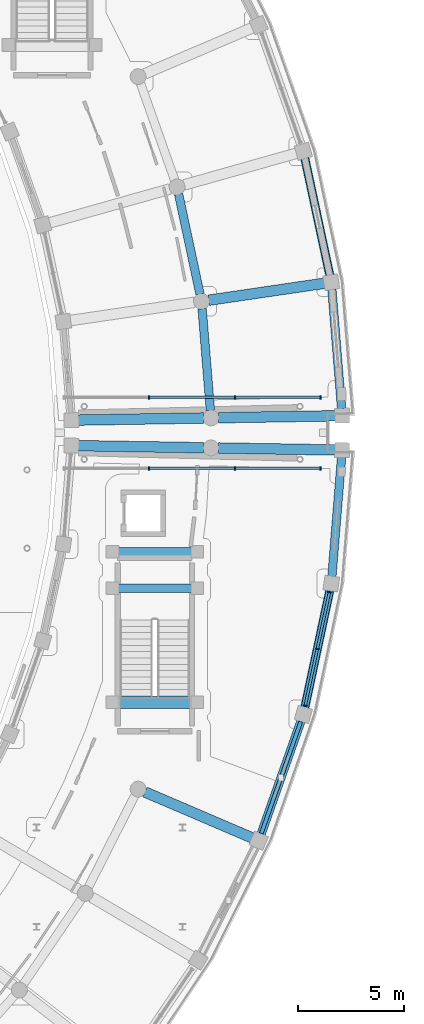
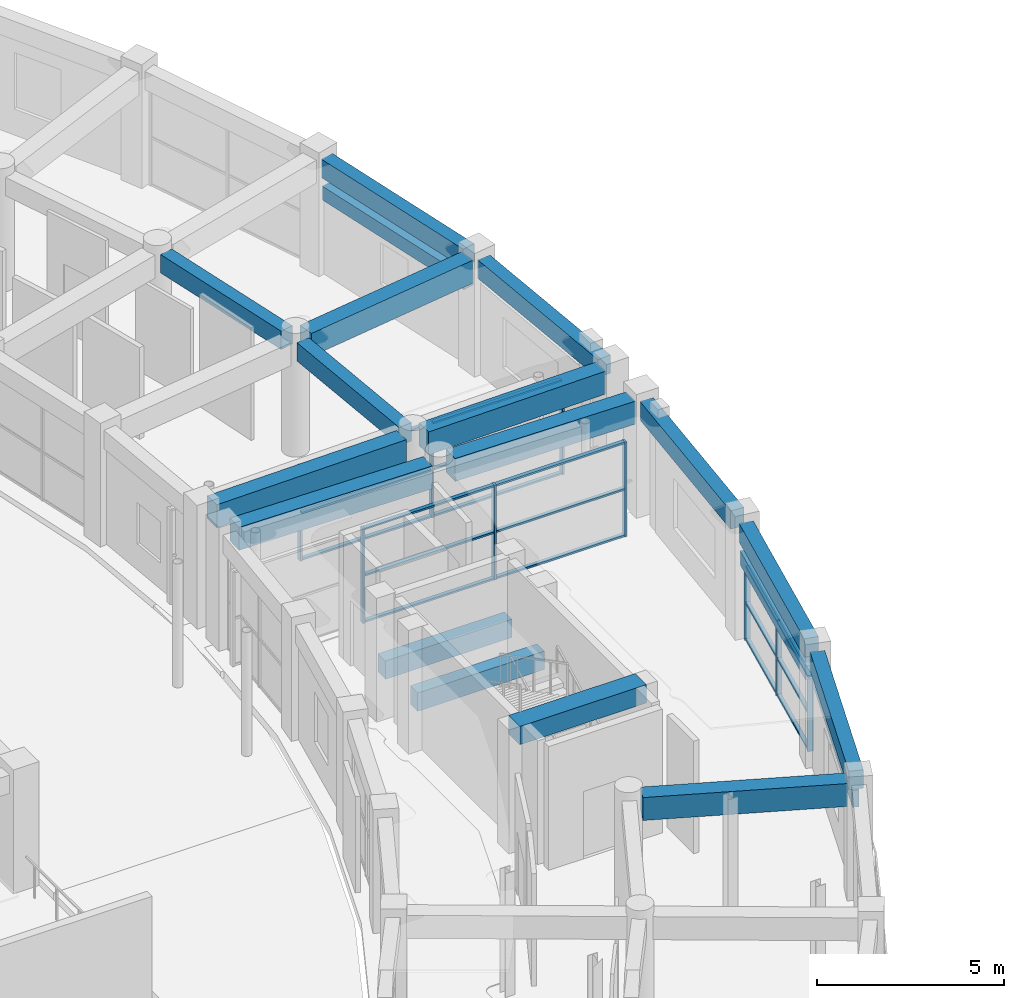
# One storey, part 37 of 87: 28 members, 18 beams, 3 elements without a shape of their own.
"""IFC4 building model written with IfcOpenShell, lengths in metres."""

from ifc_helpers import new_model, si_unit, direction, frame, origin, origin_2d, place, context, subcontext, project, spatial, rectangle, extrude, material, material_profile, profile_set, type_object, element, aggregate, save


model = new_model("IFC4")

# Units and contexts
model_context = context("Model", 3, precision=1e-05, world=origin(), true_north=direction((0.0, 1.0)))
body_context = subcontext(model_context, "Body", "Model", "MODEL_VIEW")
ifc_project = project(units=[si_unit("LENGTHUNIT", "METRE"), si_unit("AREAUNIT", "SQUARE_METRE"), si_unit("VOLUMEUNIT", "CUBIC_METRE"), si_unit("PLANEANGLEUNIT", "RADIAN"), si_unit("MASSUNIT", "GRAM", prefix="KILO")], contexts=[model_context])

# Site, building, storey
site_placement = place(None, origin())
site = spatial("IfcSite", under=ifc_project, at=site_placement, CompositionType="ELEMENT")
building_placement = place(site_placement, origin())
building = spatial("IfcBuilding", under=site, at=building_placement, Name="Saryqyr Civic Hall", CompositionType="ELEMENT")
storey_placement = place(building_placement, frame((0.0, 0.0, 5.10009765625)))
storey = spatial("IfcBuildingStorey", under=building, at=storey_placement, Name="L01", CompositionType="ELEMENT", Elevation=5.10009765625)

# Curtain wall, members
ifc_material_1 = material(Name="Anodised aluminium and triple low-E glass", Category="aluminium")
curtain_wall_type_1 = type_object("IfcCurtainWallType", Name="ENV-CW-STD-38", PredefinedType="NOTDEFINED", material=ifc_material_1)
curtain_wall_1_placement = place(storey_placement, origin())
curtain_wall_1 = element("IfcCurtainWall", 1, at=curtain_wall_1_placement, inside=storey, type_object=curtain_wall_type_1, Name="Curtain wall V5-CWO-L01-08", PredefinedType="NOTDEFINED")
ifc_material_2 = material(Name="Anodised aluminium", Category="aluminium")
ifc_material_profile_1 = material_profile(ifc_material_2, rectangle(XDim=0.06005859375, YDim=0.159912109375, at=origin_2d()), Name="ALU MULLION 60x160")
ifc_profile_set_1 = profile_set([ifc_material_profile_1], Name="Anodised aluminium")
member_type_1 = type_object("IfcMemberType", Name="ENV-CW-MUL-180", PredefinedType="MULLION", material=ifc_profile_set_1)
member_1_placement = place(storey_placement, frame((105.390380859375, 76.460693359375, 0.0), z_axis=(0.0, 0.0, 1.0), x_axis=(-0.208901785507, -0.977936625765, 0.0)))
member_1 = element("IfcMember", 2, at=member_1_placement, type_object=member_type_1, Name="CW-38 mullion 1", PredefinedType="MULLION", context=body_context, shape_type="SweptSolid", body=[
    extrude(rectangle(XDim=0.06005859375, YDim=0.159912109375, at=origin_2d()), origin(), (0.0, 0.0, 1.0), 2.449951171875),
])
member_2_placement = place(storey_placement, frame((104.819091796875, 73.78564453125, 0.0), z_axis=(0.0, 0.0, 1.0), x_axis=(-0.208901785507, -0.977936625765, 0.0)))
member_2 = element("IfcMember", 3, at=member_2_placement, type_object=member_type_1, Name="CW-38 mullion 2", PredefinedType="MULLION", context=body_context, shape_type="SweptSolid", body=[
    extrude(rectangle(XDim=0.06005859375, YDim=0.159912109375, at=origin_2d()), origin(), (0.0, 0.0, 1.0), 2.449951171875),
])
member_3_placement = place(storey_placement, frame((104.24755859375, 71.110595703125, 0.0), z_axis=(0.0, 0.0, 1.0), x_axis=(-0.208901785507, -0.977936625765, 0.0)))
member_3 = element("IfcMember", 4, at=member_3_placement, type_object=member_type_1, Name="CW-38 mullion 3", PredefinedType="MULLION", context=body_context, shape_type="SweptSolid", body=[
    extrude(rectangle(XDim=0.06005859375, YDim=0.159912109375, at=origin_2d()), origin(), (0.0, 0.0, 1.0), 2.449951171875),
])

curtain_wall_type_2 = type_object("IfcCurtainWallType", Name="ENV-CW-STD-81", PredefinedType="NOTDEFINED", material=ifc_material_1)
curtain_wall_2_placement = place(storey_placement, origin())
curtain_wall_2 = element("IfcCurtainWall", 5, at=curtain_wall_2_placement, inside=storey, type_object=curtain_wall_type_2, Name="Curtain wall BR-E-CW1-L01", PredefinedType="NOTDEFINED")
member_4_placement = place(storey_placement, frame((104.969970703125, 82.320068359375, 0.0), z_axis=(0.0, 0.0, 1.0), x_axis=(-1.0, 0.0, 0.0)))
member_4 = element("IfcMember", 6, at=member_4_placement, type_object=member_type_1, Name="CW-81 mullion 1", PredefinedType="MULLION", context=body_context, shape_type="SweptSolid", body=[
    extrude(rectangle(XDim=0.06005859375, YDim=0.159912109375, at=origin_2d()), origin(), (0.0, 0.0, 1.0), 3.099853515625),
])
member_5_placement = place(storey_placement, frame((100.933349609375, 82.320068359375, 0.0), z_axis=(0.0, 0.0, 1.0), x_axis=(-1.0, 0.0, 0.0)))
member_5 = element("IfcMember", 7, at=member_5_placement, type_object=member_type_1, Name="CW-81 mullion 2", PredefinedType="MULLION", context=body_context, shape_type="SweptSolid", body=[
    extrude(rectangle(XDim=0.06005859375, YDim=0.159912109375, at=origin_2d()), origin(), (0.0, 0.0, 1.0), 3.099853515625),
])
member_6_placement = place(storey_placement, frame((96.86669921875, 82.320068359375, 0.0), z_axis=(0.0, 0.0, 1.0), x_axis=(-1.0, 0.0, 0.0)))
member_6 = element("IfcMember", 8, at=member_6_placement, type_object=member_type_1, Name="CW-81 mullion 3", PredefinedType="MULLION", context=body_context, shape_type="SweptSolid", body=[
    extrude(rectangle(XDim=0.06005859375, YDim=0.159912109375, at=origin_2d()), origin(), (0.0, 0.0, 1.0), 3.099853515625),
])

curtain_wall_3_placement = place(storey_placement, origin())
curtain_wall_3 = element("IfcCurtainWall", 9, at=curtain_wall_3_placement, inside=storey, type_object=curtain_wall_type_2, Name="Curtain wall BR-E-CW2-L01", PredefinedType="NOTDEFINED")
member_7_placement = place(storey_placement, frame((96.86669921875, 85.679931640625, 0.0), z_axis=(0.0, 0.0, 1.0), x_axis=(1.0, 0.0, 0.0)))
member_7 = element("IfcMember", 10, at=member_7_placement, type_object=member_type_1, Name="CW-81 mullion 2", PredefinedType="MULLION", context=body_context, shape_type="SweptSolid", body=[
    extrude(rectangle(XDim=0.06005859375, YDim=0.159912109375, at=origin_2d()), origin(), (0.0, 0.0, 1.0), 3.099853515625),
])
member_8_placement = place(storey_placement, frame((100.933349609375, 85.679931640625, 0.0), z_axis=(0.0, 0.0, 1.0), x_axis=(1.0, 0.0, 0.0)))
member_8 = element("IfcMember", 11, at=member_8_placement, type_object=member_type_1, Name="CW-81 mullion 3", PredefinedType="MULLION", context=body_context, shape_type="SweptSolid", body=[
    extrude(rectangle(XDim=0.06005859375, YDim=0.159912109375, at=origin_2d()), origin(), (0.0, 0.0, 1.0), 3.099853515625),
])
member_9_placement = place(storey_placement, frame((104.969970703125, 85.679931640625, 0.0), z_axis=(0.0, 0.0, 1.0), x_axis=(1.0, 0.0, 0.0)))
member_9 = element("IfcMember", 12, at=member_9_placement, type_object=member_type_1, Name="CW-81 mullion 4", PredefinedType="MULLION", context=body_context, shape_type="SweptSolid", body=[
    extrude(rectangle(XDim=0.06005859375, YDim=0.159912109375, at=origin_2d()), origin(), (0.0, 0.0, 1.0), 3.099853515625),
])

# Member
ifc_material_profile_2 = material_profile(ifc_material_2, rectangle(XDim=0.1201171875, YDim=0.06005859375, at=origin_2d()), Name="ALU TRANSOM 120x60")
ifc_profile_set_2 = profile_set([ifc_material_profile_2], Name="Anodised aluminium")
member_type_2 = type_object("IfcMemberType", Name="ENV-CW-TRN-150", PredefinedType="USERDEFINED", material=ifc_profile_set_2)
member_10_placement = place(storey_placement, frame((105.38427734375, 76.431396484375, 0.02978515625), z_axis=(-0.208961969567, -0.977923767619, 0.0), x_axis=(0.977923767619, -0.208961969567, 0.0)))
member_10 = element("IfcMember", 13, at=member_10_placement, type_object=member_type_2, Name="CW-38 transom 1.1", ObjectType="TRANSOM", PredefinedType="USERDEFINED", context=body_context, shape_type="SweptSolid", body=[
    extrude(rectangle(XDim=0.1201171875, YDim=0.06005859375, at=origin_2d()), origin(), (0.0, 0.0, 1.0), 2.675537109375),
])

member_11_placement = place(storey_placement, frame((105.38427734375, 76.431396484375, 1.224853515625), z_axis=(-0.208961969567, -0.977923767619, 0.0), x_axis=(0.977923767619, -0.208961969567, 0.0)))
member_11 = element("IfcMember", 14, at=member_11_placement, type_object=member_type_2, Name="CW-38 transom 1.2", ObjectType="TRANSOM", PredefinedType="USERDEFINED", context=body_context, shape_type="SweptSolid", body=[
    extrude(rectangle(XDim=0.1201171875, YDim=0.06005859375, at=origin_2d()), origin(), (0.0, 0.0, 1.0), 2.675537109375),
])

member_12_placement = place(storey_placement, frame((105.38427734375, 76.431396484375, 2.419921875), z_axis=(-0.208961969567, -0.977923767619, 0.0), x_axis=(0.977923767619, -0.208961969567, 0.0)))
member_12 = element("IfcMember", 15, at=member_12_placement, type_object=member_type_2, Name="CW-38 transom 1.3", ObjectType="TRANSOM", PredefinedType="USERDEFINED", context=body_context, shape_type="SweptSolid", body=[
    extrude(rectangle(XDim=0.1201171875, YDim=0.06005859375, at=origin_2d()), origin(), (0.0, 0.0, 1.0), 2.675537109375),
])

member_13_placement = place(storey_placement, frame((104.812744140625, 73.75634765625, 0.02978515625), z_axis=(-0.208874701734, -0.977942410869, 0.0), x_axis=(0.977942410869, -0.208874701734, 0.0)))
member_13 = element("IfcMember", 16, at=member_13_placement, type_object=member_type_2, Name="CW-38 transom 2.1", ObjectType="TRANSOM", PredefinedType="USERDEFINED", context=body_context, shape_type="SweptSolid", body=[
    extrude(rectangle(XDim=0.1201171875, YDim=0.06005859375, at=origin_2d()), origin(), (0.0, 0.0, 1.0), 2.675537109375),
])

member_14_placement = place(storey_placement, frame((104.812744140625, 73.75634765625, 1.224853515625), z_axis=(-0.208874701734, -0.977942410869, 0.0), x_axis=(0.977942410869, -0.208874701734, 0.0)))
member_14 = element("IfcMember", 17, at=member_14_placement, type_object=member_type_2, Name="CW-38 transom 2.2", ObjectType="TRANSOM", PredefinedType="USERDEFINED", context=body_context, shape_type="SweptSolid", body=[
    extrude(rectangle(XDim=0.1201171875, YDim=0.06005859375, at=origin_2d()), origin(), (0.0, 0.0, 1.0), 2.675537109375),
])

member_15_placement = place(storey_placement, frame((104.812744140625, 73.75634765625, 2.419921875), z_axis=(-0.208874701734, -0.977942410869, 0.0), x_axis=(0.977942410869, -0.208874701734, 0.0)))
member_15 = element("IfcMember", 18, at=member_15_placement, type_object=member_type_2, Name="CW-38 transom 2.3", ObjectType="TRANSOM", PredefinedType="USERDEFINED", context=body_context, shape_type="SweptSolid", body=[
    extrude(rectangle(XDim=0.1201171875, YDim=0.06005859375, at=origin_2d()), origin(), (0.0, 0.0, 1.0), 2.675537109375),
])

aggregate(curtain_wall_1, [member_1, member_2, member_3, member_10, member_11, member_12, member_13, member_14, member_15])

member_16_placement = place(storey_placement, frame((104.93994140625, 82.320068359375, 0.02978515625), z_axis=(-1.0, 0.0, 0.0), x_axis=(0.0, -1.0, 0.0)))
member_16 = element("IfcMember", 19, at=member_16_placement, type_object=member_type_2, Name="CW-81 transom 1.1", ObjectType="TRANSOM", PredefinedType="USERDEFINED", context=body_context, shape_type="SweptSolid", body=[
    extrude(rectangle(XDim=0.1201171875, YDim=0.06005859375, at=origin_2d()), origin(), (0.0, 0.0, 1.0), 3.9765625),
])

member_17_placement = place(storey_placement, frame((104.93994140625, 82.320068359375, 1.5498046875), z_axis=(-1.0, 0.0, 0.0), x_axis=(0.0, -1.0, 0.0)))
member_17 = element("IfcMember", 20, at=member_17_placement, type_object=member_type_2, Name="CW-81 transom 1.2", ObjectType="TRANSOM", PredefinedType="USERDEFINED", context=body_context, shape_type="SweptSolid", body=[
    extrude(rectangle(XDim=0.1201171875, YDim=0.06005859375, at=origin_2d()), origin(), (0.0, 0.0, 1.0), 3.9765625),
])

member_18_placement = place(storey_placement, frame((104.93994140625, 82.320068359375, 3.06982421875), z_axis=(-1.0, 0.0, 0.0), x_axis=(0.0, -1.0, 0.0)))
member_18 = element("IfcMember", 21, at=member_18_placement, type_object=member_type_2, Name="CW-81 transom 1.3", ObjectType="TRANSOM", PredefinedType="USERDEFINED", context=body_context, shape_type="SweptSolid", body=[
    extrude(rectangle(XDim=0.1201171875, YDim=0.06005859375, at=origin_2d()), origin(), (0.0, 0.0, 1.0), 3.9765625),
])

member_19_placement = place(storey_placement, frame((100.9033203125, 82.320068359375, 0.02978515625), z_axis=(-1.0, 0.0, 0.0), x_axis=(0.0, -1.0, 0.0)))
member_19 = element("IfcMember", 22, at=member_19_placement, type_object=member_type_2, Name="CW-81 transom 2.1", ObjectType="TRANSOM", PredefinedType="USERDEFINED", context=body_context, shape_type="SweptSolid", body=[
    extrude(rectangle(XDim=0.1201171875, YDim=0.06005859375, at=origin_2d()), origin(), (0.0, 0.0, 1.0), 4.006591796875),
])

member_20_placement = place(storey_placement, frame((100.9033203125, 82.320068359375, 1.5498046875), z_axis=(-1.0, 0.0, 0.0), x_axis=(0.0, -1.0, 0.0)))
member_20 = element("IfcMember", 23, at=member_20_placement, type_object=member_type_2, Name="CW-81 transom 2.2", ObjectType="TRANSOM", PredefinedType="USERDEFINED", context=body_context, shape_type="SweptSolid", body=[
    extrude(rectangle(XDim=0.1201171875, YDim=0.06005859375, at=origin_2d()), origin(), (0.0, 0.0, 1.0), 4.006591796875),
])

member_21_placement = place(storey_placement, frame((100.9033203125, 82.320068359375, 3.06982421875), z_axis=(-1.0, 0.0, 0.0), x_axis=(0.0, -1.0, 0.0)))
member_21 = element("IfcMember", 24, at=member_21_placement, type_object=member_type_2, Name="CW-81 transom 2.3", ObjectType="TRANSOM", PredefinedType="USERDEFINED", context=body_context, shape_type="SweptSolid", body=[
    extrude(rectangle(XDim=0.1201171875, YDim=0.06005859375, at=origin_2d()), origin(), (0.0, 0.0, 1.0), 4.006591796875),
])

aggregate(curtain_wall_2, [member_4, member_5, member_6, member_16, member_17, member_18, member_19, member_20, member_21])

member_22_placement = place(storey_placement, frame((96.896728515625, 85.679931640625, 0.02978515625), z_axis=(1.0, 0.0, 0.0), x_axis=(0.0, 1.0, 0.0)))
member_22 = element("IfcMember", 25, at=member_22_placement, type_object=member_type_2, Name="CW-81 transom 2.1", ObjectType="TRANSOM", PredefinedType="USERDEFINED", context=body_context, shape_type="SweptSolid", body=[
    extrude(rectangle(XDim=0.1201171875, YDim=0.06005859375, at=origin_2d()), origin(), (0.0, 0.0, 1.0), 4.006591796875),
])

member_23_placement = place(storey_placement, frame((96.896728515625, 85.679931640625, 1.5498046875), z_axis=(1.0, 0.0, 0.0), x_axis=(0.0, 1.0, 0.0)))
member_23 = element("IfcMember", 26, at=member_23_placement, type_object=member_type_2, Name="CW-81 transom 2.2", ObjectType="TRANSOM", PredefinedType="USERDEFINED", context=body_context, shape_type="SweptSolid", body=[
    extrude(rectangle(XDim=0.1201171875, YDim=0.06005859375, at=origin_2d()), origin(), (0.0, 0.0, 1.0), 4.006591796875),
])

member_24_placement = place(storey_placement, frame((96.896728515625, 85.679931640625, 3.06982421875), z_axis=(1.0, 0.0, 0.0), x_axis=(0.0, 1.0, 0.0)))
member_24 = element("IfcMember", 27, at=member_24_placement, type_object=member_type_2, Name="CW-81 transom 2.3", ObjectType="TRANSOM", PredefinedType="USERDEFINED", context=body_context, shape_type="SweptSolid", body=[
    extrude(rectangle(XDim=0.1201171875, YDim=0.06005859375, at=origin_2d()), origin(), (0.0, 0.0, 1.0), 4.006591796875),
])

member_25_placement = place(storey_placement, frame((100.96337890625, 85.679931640625, 0.02978515625), z_axis=(1.0, 0.0, 0.0), x_axis=(0.0, 1.0, 0.0)))
member_25 = element("IfcMember", 28, at=member_25_placement, type_object=member_type_2, Name="CW-81 transom 3.1", ObjectType="TRANSOM", PredefinedType="USERDEFINED", context=body_context, shape_type="SweptSolid", body=[
    extrude(rectangle(XDim=0.1201171875, YDim=0.06005859375, at=origin_2d()), origin(), (0.0, 0.0, 1.0), 3.9765625),
])

member_26_placement = place(storey_placement, frame((100.96337890625, 85.679931640625, 1.5498046875), z_axis=(1.0, 0.0, 0.0), x_axis=(0.0, 1.0, 0.0)))
member_26 = element("IfcMember", 29, at=member_26_placement, type_object=member_type_2, Name="CW-81 transom 3.2", ObjectType="TRANSOM", PredefinedType="USERDEFINED", context=body_context, shape_type="SweptSolid", body=[
    extrude(rectangle(XDim=0.1201171875, YDim=0.06005859375, at=origin_2d()), origin(), (0.0, 0.0, 1.0), 3.9765625),
])

member_27_placement = place(storey_placement, frame((100.96337890625, 85.679931640625, 3.06982421875), z_axis=(1.0, 0.0, 0.0), x_axis=(0.0, 1.0, 0.0)))
member_27 = element("IfcMember", 30, at=member_27_placement, type_object=member_type_2, Name="CW-81 transom 3.3", ObjectType="TRANSOM", PredefinedType="USERDEFINED", context=body_context, shape_type="SweptSolid", body=[
    extrude(rectangle(XDim=0.1201171875, YDim=0.06005859375, at=origin_2d()), origin(), (0.0, 0.0, 1.0), 3.9765625),
])

aggregate(curtain_wall_3, [member_7, member_8, member_9, member_22, member_23, member_24, member_25, member_26, member_27])

ifc_material_3 = material(Name="Precast concrete C40/50", Category="concrete")
ifc_material_profile_3 = material_profile(ifc_material_3, rectangle(XDim=0.179931640625, YDim=0.550048828125, at=origin_2d()), Name="PC FIN 180x550")
ifc_profile_set_3 = profile_set([ifc_material_profile_3], Name="Precast concrete C40/50")
member_type_3 = type_object("IfcMemberType", Name="ENV-FIN-PC550", PredefinedType="USERDEFINED", material=ifc_profile_set_3)
member_28_placement = place(storey_placement, frame((102.172119140625, 65.0712890625, 2.81982421875), z_axis=(0.333176320242, 0.942864539385, 0.0), x_axis=(-0.942864539385, 0.333176320242, 0.0)))
element("IfcMember", 31, at=member_28_placement, inside=storey, type_object=member_type_3, Name="Precast horizontal solar brise-soleil fin V5-L01-07", ObjectType="SOLAR_FIN", PredefinedType="USERDEFINED", context=body_context, shape_type="SweptSolid", body=[
    extrude(rectangle(XDim=0.179931640625, YDim=0.550048828125, at=origin_2d()), origin(), (0.0, 0.0, 1.0), 5.592529296875),
])

# Beams
ifc_material_4 = material(Name="Concrete C35/45", Category="concrete")
ifc_material_profile_4 = material_profile(ifc_material_4, rectangle(XDim=0.39990234375, YDim=0.60009765625, at=origin_2d()), Name="RC 400x600")
ifc_profile_set_4 = profile_set([ifc_material_profile_4], Name="Concrete C35/45")
beam_type_1 = type_object("IfcBeamType", Name="STR-BM-RC400x600", PredefinedType="BEAM", material=ifc_profile_set_4)
beam_1_placement = place(storey_placement, frame((99.765625, 85.058349609375, 3.469970703125), z_axis=(-0.081061627259, 0.996709091253, 0.0), x_axis=(-0.996709091253, -0.081061627259, 0.0)))
element("IfcBeam", 32, at=beam_1_placement, inside=storey, type_object=beam_type_1, Name="Beam V6-CBM-MID00-L01", PredefinedType="BEAM", context=body_context, shape_type="SweptSolid", body=[
    extrude(rectangle(XDim=0.39990234375, YDim=0.60009765625, at=origin_2d()), origin(), (0.0, 0.0, 1.0), 4.827880859375),
])
beam_2_placement = place(storey_placement, frame((99.272705078125, 90.561279296875, 3.469970703125), z_axis=(-0.208907397295, 0.977935426987, 0.0), x_axis=(-0.977935426987, -0.208907397295, 0.0)))
element("IfcBeam", 33, at=beam_2_placement, inside=storey, type_object=beam_type_1, Name="Beam V6-CBM-MID01-L01", PredefinedType="BEAM", context=body_context, shape_type="SweptSolid", body=[
    extrude(rectangle(XDim=0.39990234375, YDim=0.60009765625, at=origin_2d()), origin(), (0.0, 0.0, 1.0), 4.82763671875),
])
for number, where, z_axis, x_axis, name in (
    (34, (99.10009765625, 76.64990234375, 1.52490234375), (-1.0, 0.0, 0.0), (0.0, -1.0, 0.0), "Stair half-landing support beam ST-5-LND1-L01"),
    (35, (99.10009765625, 78.3798828125, 1.52490234375), (-1.0, 0.0, 0.0), (0.0, -1.0, 0.0), "Stair half-landing support beam ST-5-LND2-L01"),
):
    element("IfcBeam", number, at=place(storey_placement, frame(where, z_axis=z_axis, x_axis=x_axis)), inside=storey, type_object=beam_type_1, Name=name, PredefinedType="BEAM", context=body_context, shape_type="SweptSolid", body=[
        extrude(rectangle(XDim=0.39990234375, YDim=0.60009765625, at=origin_2d()), origin(), (0.0, 0.0, 1.0), 3.920166015625),
    ])
ifc_material_profile_5 = material_profile(ifc_material_4, rectangle(XDim=0.39990234375, YDim=0.60009765625, at=origin_2d()), Name="RC 400x600")
ifc_profile_set_5 = profile_set([ifc_material_profile_5], Name="Concrete C35/45")
beam_type_2 = type_object("IfcBeamType", Name="STR-BM-RC400x600-EXT", PredefinedType="BEAM", material=ifc_profile_set_5)
for number, where, z_axis, x_axis, name in (
    (36, (102.15771484375, 65.03076171875, 3.469970703125), (0.333202405003, 0.94285532151, 0.0), (-0.94285532151, 0.333202405003, 0.0), "Beam V5-CBM-OUT07-L01"),
    (37, (104.225830078125, 71.009033203125, 3.469970703125), (0.208906580815, 0.977935601403, 0.0), (-0.977935601403, 0.208906580815, 0.0), "Beam V5-CBM-OUT08-L01"),
):
    element("IfcBeam", number, at=place(storey_placement, frame(where, z_axis=z_axis, x_axis=x_axis)), inside=storey, type_object=beam_type_2, Name=name, PredefinedType="BEAM", context=body_context, shape_type="SweptSolid", body=[
        extrude(rectangle(XDim=0.39990234375, YDim=0.60009765625, at=origin_2d()), origin(), (0.0, 0.0, 1.0), 5.678466796875),
    ])
for number, where, z_axis, x_axis, name in (
    (38, (105.50634765625, 77.203857421875, 3.469970703125), (0.0810848374, 0.996707203317, 0.0), (-0.996707203317, 0.0810848374, 0.0), "Beam V5-CBM-OUT09-L01"),
    (39, (105.966796875, 85.13623046875, 3.469970703125), (-0.0810848374, 0.996707203317, 0.0), (-0.996707203317, -0.0810848374, 0.0), "Beam V6-CBM-OUT00-L01"),
):
    element("IfcBeam", number, at=place(storey_placement, frame(where, z_axis=z_axis, x_axis=x_axis)), inside=storey, type_object=beam_type_2, Name=name, PredefinedType="BEAM", context=body_context, shape_type="SweptSolid", body=[
        extrude(rectangle(XDim=0.39990234375, YDim=0.60009765625, at=origin_2d()), origin(), (0.0, 0.0, 1.0), 5.6787109375),
    ])
beam_3_placement = place(storey_placement, frame((105.412109375, 91.437744140625, 3.469970703125), z_axis=(-0.208906580815, 0.977935601403, 0.0), x_axis=(-0.977935601403, -0.208906580815, 0.0)))
element("IfcBeam", 40, at=beam_3_placement, inside=storey, type_object=beam_type_2, Name="Beam V6-CBM-OUT01-L01", PredefinedType="BEAM", context=body_context, shape_type="SweptSolid", body=[
    extrude(rectangle(XDim=0.39990234375, YDim=0.60009765625, at=origin_2d()), origin(), (0.0, 0.0, 1.0), 5.678466796875),
])
ifc_material_5 = material(Name="Concrete C40/50", Category="concrete")
ifc_material_profile_6 = material_profile(ifc_material_5, rectangle(XDim=0.5, YDim=0.75, at=origin_2d()), Name="RC 500x750")
ifc_profile_set_6 = profile_set([ifc_material_profile_6], Name="Concrete C40/50")
beam_type_3 = type_object("IfcBeamType", Name="STR-BM-RC500x750", PredefinedType="BEAM", material=ifc_profile_set_6)
beam_4_placement = place(storey_placement, frame((96.671142578125, 67.025634765625, 3.39501953125), z_axis=(0.91937572753, -0.393380568444, 0.0), x_axis=(0.393380568444, 0.91937572753, 0.0)))
element("IfcBeam", 41, at=beam_4_placement, inside=storey, type_object=beam_type_3, Name="Beam V5-RBM-B07-L01", PredefinedType="BEAM", context=body_context, shape_type="SweptSolid", body=[
    extrude(rectangle(XDim=0.5, YDim=0.75, at=origin_2d()), origin(), (0.0, 0.0, 1.0), 5.524658203125),
])
beam_5_placement = place(storey_placement, frame((93.52001953125, 83.394287109375, 3.39501953125), z_axis=(0.999862794307, -0.016564798818, 0.0), x_axis=(0.016564798818, 0.999862794307, 0.0)))
element("IfcBeam", 42, at=beam_5_placement, inside=storey, type_object=beam_type_3, Name="Beam V5-RBM-A10-L01", PredefinedType="BEAM", context=body_context, shape_type="SweptSolid", body=[
    extrude(rectangle(XDim=0.5, YDim=0.75, at=origin_2d()), origin(), (0.0, 0.0, 1.0), 5.9248046875),
])
beam_6_placement = place(storey_placement, frame((100.14404296875, 83.28466796875, 3.39501953125), z_axis=(0.999862694121, -0.016570845021, 0.0), x_axis=(0.016570845021, 0.999862694121, 0.0)))
element("IfcBeam", 43, at=beam_6_placement, inside=storey, type_object=beam_type_3, Name="Beam V5-RBM-B10-L01", PredefinedType="BEAM", context=body_context, shape_type="SweptSolid", body=[
    extrude(rectangle(XDim=0.5, YDim=0.75, at=origin_2d()), origin(), (0.0, 0.0, 1.0), 5.52490234375),
])
beam_7_placement = place(storey_placement, frame((93.52001953125, 84.605712890625, 3.39501953125), z_axis=(0.999862794307, 0.016564798818, 0.0), x_axis=(-0.016564798818, 0.999862794307, 0.0)))
element("IfcBeam", 44, at=beam_7_placement, inside=storey, type_object=beam_type_3, Name="Beam V6-RBM-A00-L01", PredefinedType="BEAM", context=body_context, shape_type="SweptSolid", body=[
    extrude(rectangle(XDim=0.5, YDim=0.75, at=origin_2d()), origin(), (0.0, 0.0, 1.0), 5.9248046875),
])
for number, where, z_axis, x_axis, name in (
    (45, (100.14404296875, 84.71533203125, 3.39501953125), (0.999862694121, 0.016570845021, 0.0), (-0.016570845021, 0.999862694121, 0.0), "Beam V6-RBM-B00-L01"),
    (46, (99.692138671875, 90.27001953125, 3.39501953125), (0.989388673967, 0.145292986155, 0.0), (-0.145292986155, 0.989388673967, 0.0), "Beam V6-RBM-B01-L01"),
):
    element("IfcBeam", number, at=place(storey_placement, frame(where, z_axis=z_axis, x_axis=x_axis)), inside=storey, type_object=beam_type_3, Name=name, PredefinedType="BEAM", context=body_context, shape_type="SweptSolid", body=[
        extrude(rectangle(XDim=0.5, YDim=0.75, at=origin_2d()), origin(), (0.0, 0.0, 1.0), 5.52490234375),
    ])
ifc_material_profile_7 = material_profile(ifc_material_5, rectangle(XDim=0.60009765625, YDim=0.60009765625, at=origin_2d()), Name="RC 600x600")
ifc_profile_set_7 = profile_set([ifc_material_profile_7], Name="Concrete C40/50")
beam_type_4 = type_object("IfcBeamType", Name="STR-BM-RC600x600", PredefinedType="BEAM", material=ifc_profile_set_7)
beam_8_placement = place(storey_placement, frame((99.10009765625, 71.27490234375, 3.75), z_axis=(-1.0, 0.0, 0.0), x_axis=(0.0, -1.0, 0.0)))
element("IfcBeam", 47, at=beam_8_placement, inside=storey, type_object=beam_type_4, Name="Stair well trimmer beam ST-5-L02", PredefinedType="BEAM", context=body_context, shape_type="SweptSolid", body=[
    extrude(rectangle(XDim=0.60009765625, YDim=0.60009765625, at=origin_2d()), origin(), (0.0, 0.0, 1.0), 3.920166015625),
])
ifc_material_profile_8 = material_profile(ifc_material_3, rectangle(XDim=0.35009765625, YDim=0.449951171875, at=origin_2d()), Name="RC 350x450")
ifc_profile_set_8 = profile_set([ifc_material_profile_8], Name="Precast concrete C40/50")
beam_type_5 = type_object("IfcBeamType", Name="STR-LIN-RC350x450", PredefinedType="LINTEL", material=ifc_profile_set_8)
for number, where, z_axis, x_axis, name in (
    (48, (104.225830078125, 71.009033203125, 2.65478515625), (0.208906580815, 0.977935601403, 0.0), (-0.977935601403, 0.208906580815, 0.0), "Beam V5-LIN-08-L01"),
    (49, (105.412109375, 91.437744140625, 2.65478515625), (-0.208906580815, 0.977935601403, 0.0), (-0.977935601403, -0.208906580815, 0.0), "Beam V6-LIN-01-L01"),
):
    element("IfcBeam", number, at=place(storey_placement, frame(where, z_axis=z_axis, x_axis=x_axis)), inside=storey, type_object=beam_type_5, Name=name, PredefinedType="LINTEL", context=body_context, shape_type="SweptSolid", body=[
        extrude(rectangle(XDim=0.35009765625, YDim=0.449951171875, at=origin_2d()), origin(), (0.0, 0.0, 1.0), 5.678466796875),
    ])

save(model, "model.ifc")
